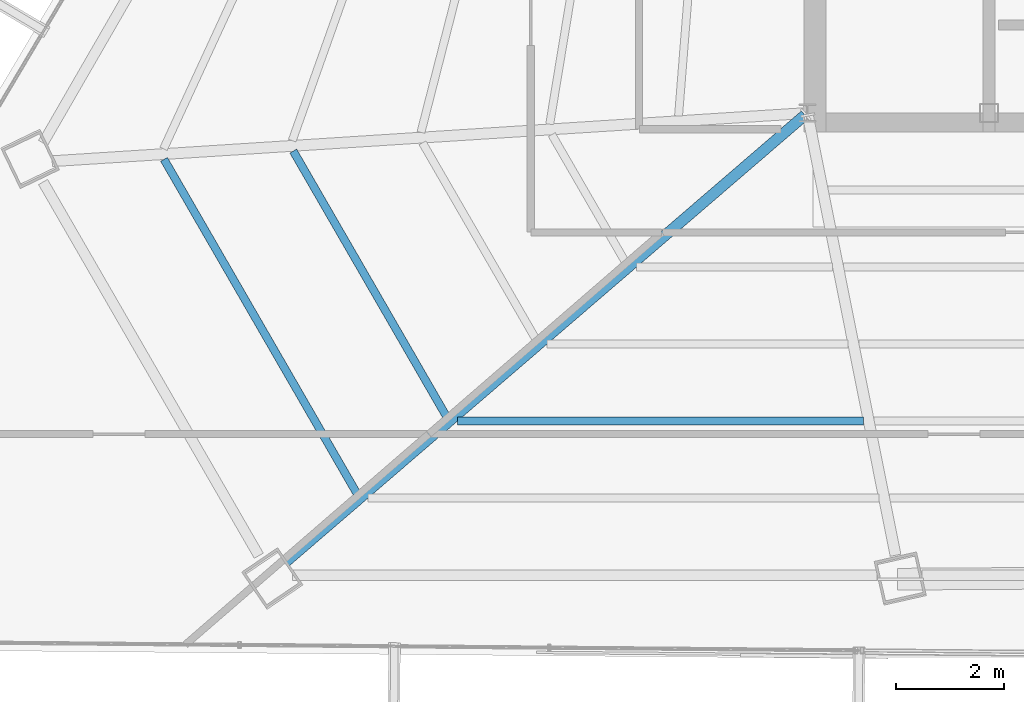
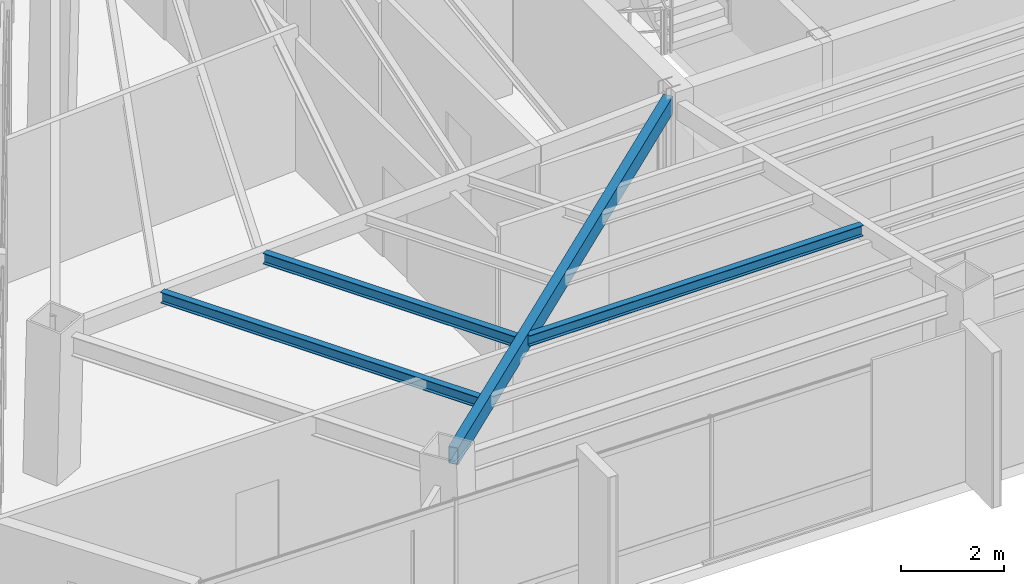
# One storey, part 7 of 47: 4 beams.
"""IFC4 building model written with IfcOpenShell, lengths in metres."""

from ifc_helpers import new_model, si_unit, direction, frame, origin, origin_2d, place, context, subcontext, project, spatial, hollow_rectangle, i_section, extrude, source, transform, mapped, material, material_profile, profile_set, type_object, type_shapes, element, save


model = new_model("IFC4")

# Units and contexts
model_context = context("Model", 3, precision=1e-05, world=origin(), true_north=direction((0.0, 1.0)))
body_context = subcontext(model_context, "Body", "Model", "MODEL_VIEW")
ifc_project = project(units=[si_unit("LENGTHUNIT", "METRE"), si_unit("AREAUNIT", "SQUARE_METRE"), si_unit("VOLUMEUNIT", "CUBIC_METRE"), si_unit("PLANEANGLEUNIT", "RADIAN"), si_unit("MASSUNIT", "GRAM", prefix="KILO")], contexts=[model_context])

# Site, building, storey
site_placement = place(None, origin())
site = spatial("IfcSite", under=ifc_project, at=site_placement, CompositionType="ELEMENT")
building_placement = place(site_placement, origin())
building = spatial("IfcBuilding", under=site, at=building_placement, Name="Caelisora Broadcast Tower", CompositionType="ELEMENT")
storey_placement = place(building_placement, frame((0.0, 0.0, 229.85009765625)))
storey = spatial("IfcBuildingStorey", under=building, at=storey_placement, Name="L60", CompositionType="ELEMENT", Elevation=229.85009765625)

# Beams
ifc_material_1 = material(Name="Steel Grade 350 (AS/NZS 1163 C350L0)", Category="steel")
ifc_material_profile_1 = material_profile(ifc_material_1, hollow_rectangle(XDim=0.199951171875, YDim=0.39990234375, WallThickness=0.012451171875, at=origin_2d()), Name="Steel Grade 350 (AS/NZS 1163 C350L0)")
ifc_profile_set_1 = profile_set([ifc_material_profile_1], Name="Steel Grade 350 (AS/NZS 1163 C350L0)")
beam_type_1 = type_object("IfcBeamType", Name="PG07", PredefinedType="BEAM", material=ifc_profile_set_1)
shared_shape_1 = source(origin(), body_context, "Body", "SweptSolid", [
    extrude(hollow_rectangle(XDim=0.199951171875, YDim=0.39990234375, WallThickness=0.012451171875, at=origin_2d()), origin(), (0.0, 0.0, 1.0), 12.630615234375),
])
type_shapes(beam_type_1, [shared_shape_1])
beam_1_placement = place(storey_placement, frame((30.45458984375, 17.36083984375, 3.199951171875), z_axis=(-0.758073765396, -0.652168817269, 0.0), x_axis=(0.652168817269, -0.758073765396, 0.0)))
element("IfcBeam", 1, at=beam_1_placement, inside=storey, type_object=beam_type_1, Name="L60 beam PG07", PredefinedType="BEAM", context=body_context, shape_type="MappedRepresentation", body=[
    mapped(shared_shape_1, transform((0.0, 0.0, 0.0), scale=1.0)),
])
ifc_material_2 = material(Name="Steel Grade 350 (AS/NZS 3679.1)", Category="steel")
ifc_material_profile_2 = material_profile(ifc_material_2, i_section(OverallWidth=0.14599609375, OverallDepth=0.256103515625, WebThickness=0.00634765625, FlangeThickness=0.010986328125, at=origin_2d()), Name="Steel Grade 350 (AS/NZS 3679.1)")
ifc_profile_set_2 = profile_set([ifc_material_profile_2], Name="Steel Grade 350 (AS/NZS 3679.1)")
beam_type_2 = type_object("IfcBeamType", Name="SB04", PredefinedType="JOIST", material=ifc_profile_set_2)
shared_shape_2 = source(origin(), body_context, "Body", "SweptSolid", [
    extrude(i_section(OverallWidth=0.14599609375, OverallDepth=0.256103515625, WebThickness=0.00634765625, FlangeThickness=0.010986328125, at=origin_2d()), origin(), (0.0, 0.0, 1.0), 5.64990234375),
])
beam_2_placement = place(storey_placement, frame((21.02197265625, 16.697509765625, 3.271728515625), z_axis=(0.499991765245, -0.86603015807, 0.0), x_axis=(0.86603015807, 0.499991765245, 0.0)))
element("IfcBeam", 2, at=beam_2_placement, inside=storey, type_object=beam_type_2, Name="L60 beam SB04", PredefinedType="JOIST", context=body_context, shape_type="MappedRepresentation", body=[
    mapped(shared_shape_2, transform((0.0, 0.0, 0.0), scale=1.0)),
])
shared_shape_3 = source(origin(), body_context, "Body", "SweptSolid", [
    extrude(i_section(OverallWidth=0.14599609375, OverallDepth=0.256103515625, WebThickness=0.00634765625, FlangeThickness=0.010986328125, at=origin_2d()), origin(), (0.0, 0.0, 1.0), 7.114501953125),
])
beam_3_placement = place(storey_placement, frame((18.638916015625, 16.54541015625, 3.271728515625), z_axis=(0.499984847409, -0.86603415196, 0.0), x_axis=(0.86603415196, 0.499984847409, 0.0)))
element("IfcBeam", 3, at=beam_3_placement, inside=storey, type_object=beam_type_2, Name="L60 beam SB04", PredefinedType="JOIST", context=body_context, shape_type="MappedRepresentation", body=[
    mapped(shared_shape_3, transform((0.0, 0.0, 0.0), scale=1.0)),
])
shared_shape_4 = source(origin(), body_context, "Body", "SweptSolid", [
    extrude(i_section(OverallWidth=0.14599609375, OverallDepth=0.256103515625, WebThickness=0.00634765625, FlangeThickness=0.010986328125, at=origin_2d()), origin(), (0.0, 0.0, 1.0), 7.486572265625),
])
type_shapes(beam_type_2, [shared_shape_2, shared_shape_3, shared_shape_4])
beam_4_placement = place(storey_placement, frame((24.046630859375, 11.718994140625, 3.271728515625), z_axis=(1.0, 0.0, 0.0), x_axis=(0.0, 1.0, 0.0)))
element("IfcBeam", 4, at=beam_4_placement, inside=storey, type_object=beam_type_2, Name="L60 beam SB04", PredefinedType="JOIST", context=body_context, shape_type="MappedRepresentation", body=[
    mapped(shared_shape_4, transform((0.0, 0.0, 0.0), scale=1.0)),
])

save(model, "model.ifc")
